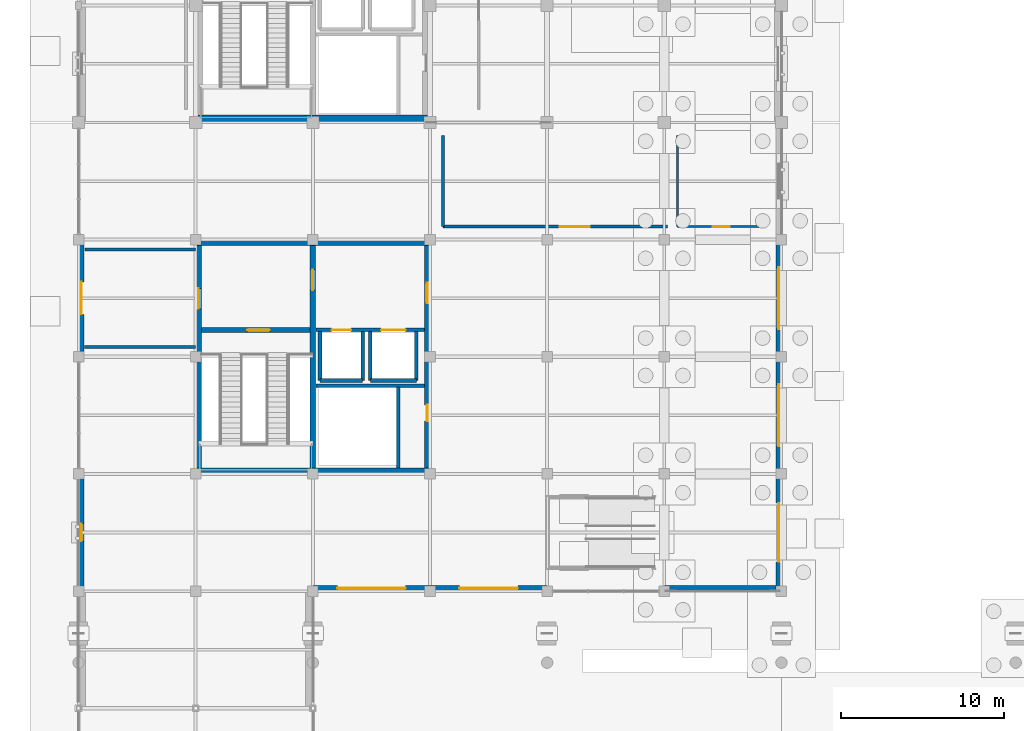
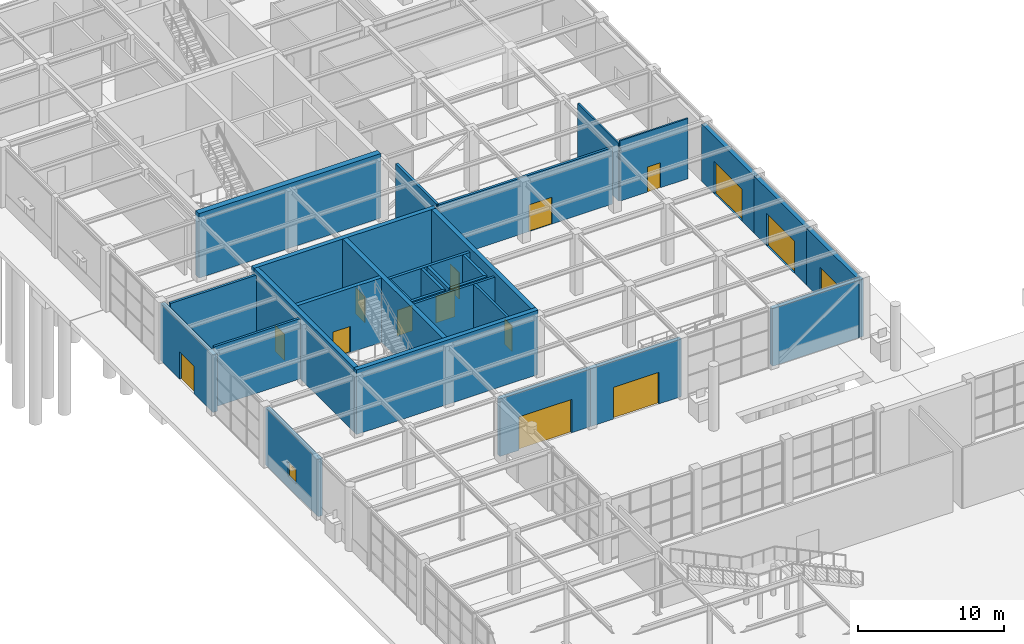
# One storey, part 59 of 75: 30 walls, 15 doors, 1 window, 16 openings.
"""IFC4 building model written with IfcOpenShell, lengths in metres."""

from ifc_helpers import new_model, si_unit, direction, frame, frame_2d, origin, place, context, subcontext, project, spatial, rectangle, extrude, material, layer, layer_set, type_object, element, fill, save


model = new_model("IFC4")

# Units and contexts
model_context = context("Model", 3, precision=1e-05, world=origin(), true_north=direction((0.0, 1.0)))
body_context = subcontext(model_context, "Body", "Model", "MODEL_VIEW")
ifc_project = project(units=[si_unit("LENGTHUNIT", "METRE"), si_unit("AREAUNIT", "SQUARE_METRE"), si_unit("VOLUMEUNIT", "CUBIC_METRE"), si_unit("PLANEANGLEUNIT", "RADIAN"), si_unit("MASSUNIT", "GRAM", prefix="KILO")], contexts=[model_context])

# Site, building, storey
site_placement = place(None, origin())
site = spatial("IfcSite", under=ifc_project, at=site_placement, CompositionType="ELEMENT")
building_placement = place(site_placement, origin())
building = spatial("IfcBuilding", under=site, at=building_placement, Name="Leyfeld Transit Interchange", CompositionType="ELEMENT")
storey_placement = place(building_placement, origin())
storey = spatial("IfcBuildingStorey", under=building, at=storey_placement, Name="L00", CompositionType="ELEMENT", Elevation=0.0)

# Wall, opening, window
ifc_material_1 = material(Name="Clinker brick masonry - Insulated", Category="masonry")
ifc_layer_1 = layer(ifc_material_1, 0.340087890625, Name="Clinker brick masonry - Insulated")
ifc_layer_set_1 = layer_set([ifc_layer_1], Name="Clinker brick masonry - Insulated")
wall_type_1 = type_object("IfcWallType", Name="WL-EXT-BRK-340", PredefinedType="SOLIDWALL", material=ifc_layer_set_1)
wall_1_placement = place(storey_placement, frame((0.169921875, 64.800048828125, 0.0), z_axis=(0.0, 0.0, 1.0), x_axis=(0.0, 1.0, 0.0)))
wall_1 = element("IfcWall", 1, at=wall_1_placement, inside=storey, type_object=wall_type_1, Name="External Facade Wall EW-L00-003", PredefinedType="SOLIDWALL", context=body_context, shape_type="SweptSolid", body=[
    extrude(rectangle(XDim=7.199951171875, YDim=0.340087890625, at=frame_2d((3.60009765625, 0.0))), origin(), (0.0, 0.0, 1.0), 4.7900390625),
])
opening_1_placement = place(wall_1_placement, frame((3.050048828125, 0.0, 0.89990234375)))
opening_1 = element("IfcOpeningElement", 2, at=opening_1_placement, cuts=wall_1, Name="Opening WU-01", PredefinedType="OPENING", context=body_context, shape_type="SweptSolid", body=[
    extrude(rectangle(XDim=1.10009765625, YDim=1.199951171875, at=frame_2d((0.550048828125, 0.60009765625))), frame((0.0, 0.179931640625, 0.0), z_axis=(0.0, -1.0, 0.0), x_axis=(1.0, 0.0, 0.0)), (0.0, 0.0, 1.0), 0.360107421875),
])
ifc_material_2 = material(Name="Triple low-E insulated glazing", Category="glass")
window_type = type_object("IfcWindowType", Name="WIN-UNQ-01", PartitioningType="SINGLE_PANEL", PredefinedType="WINDOW", material=ifc_material_2)
window_placement = place(opening_1_placement, origin())
window = element("IfcWindow", 3, at=window_placement, inside=storey, type_object=window_type, Name="Facade Window L00 001", OverallHeight=1.199951171875, OverallWidth=1.10009765625, PartitioningType="SINGLE_PANEL", PredefinedType="WINDOW", context=body_context, shape_type="SweptSolid", body=[
    extrude(rectangle(XDim=1.10009765625, YDim=1.199951171875, at=frame_2d((0.550048828125, 0.60009765625))), frame((0.0, 0.030029296875, 0.0), z_axis=(0.0, -1.0, 0.0), x_axis=(1.0, 0.0, 0.0)), (0.0, 0.0, 1.0), 0.06005859375),
])
fill(opening_1, window)

# Wall, opening, door
wall_2_placement = place(storey_placement, frame((0.169921875, 79.199951171875, 0.0), z_axis=(0.0, 0.0, 1.0), x_axis=(0.0, 1.0, 0.0)))
wall_2 = element("IfcWall", 4, at=wall_2_placement, inside=storey, type_object=wall_type_1, Name="External Facade Wall EW-L00-004", PredefinedType="SOLIDWALL", context=body_context, shape_type="SweptSolid", body=[
    extrude(rectangle(XDim=7.199951171875, YDim=0.340087890625, at=frame_2d((3.60009765625, 0.0))), origin(), (0.0, 0.0, 1.0), 4.7900390625),
])
opening_2_placement = place(wall_2_placement, frame((2.60009765625, 0.0, 0.0)))
opening_2 = element("IfcOpeningElement", 5, at=opening_2_placement, cuts=wall_2, Name="Opening DE-03", PredefinedType="OPENING", context=body_context, shape_type="SweptSolid", body=[
    extrude(rectangle(XDim=2.0, YDim=2.300048828125, at=frame_2d((1.0, 1.14990234375))), frame((0.0, 0.179931640625, 0.0), z_axis=(0.0, -1.0, 0.0), x_axis=(1.0, 0.0, 0.0)), (0.0, 0.0, 1.0), 0.360107421875),
])
ifc_material_3 = material(Name="Anodised aluminium EN AW-6060 T66", Category="aluminium")
door_type_1 = type_object("IfcDoorType", Name="DR-EXT-DBL-2000x2300", OperationType="NOTDEFINED", PredefinedType="DOOR", material=ifc_material_3)
door_1_placement = place(opening_2_placement, origin())
door_1 = element("IfcDoor", 6, at=door_1_placement, inside=storey, type_object=door_type_1, Name="DR-EXT-CORE-K3", OperationType="DOUBLE_DOOR_SINGLE_SWING", OverallHeight=2.300048828125, OverallWidth=2.0, PredefinedType="DOOR", context=body_context, shape_type="SweptSolid", body=[
    extrude(rectangle(XDim=2.0, YDim=2.300048828125, at=frame_2d((1.0, 1.14990234375))), frame((0.0, 0.02490234375, 0.0), z_axis=(0.0, -1.0, 0.0), x_axis=(1.0, 0.0, 0.0)), (0.0, 0.0, 1.0), 0.050048828125),
])
fill(opening_2, door_1)

wall_3_placement = place(storey_placement, frame((43.030029296875, 86.39990234375, 0.0), z_axis=(0.0, 0.0, 1.0), x_axis=(0.0, -1.0, 0.0)))
wall_3 = element("IfcWall", 7, at=wall_3_placement, inside=storey, type_object=wall_type_1, Name="External Facade Wall EW-L00-019", PredefinedType="SOLIDWALL", context=body_context, shape_type="SweptSolid", body=[
    extrude(rectangle(XDim=7.199951171875, YDim=0.340087890625, at=frame_2d((3.60009765625, 0.0))), origin(), (0.0, 0.0, 1.0), 4.7900390625),
])
opening_3_placement = place(wall_3_placement, frame((1.699951171875, 0.0, 0.0)))
opening_3 = element("IfcOpeningElement", 8, at=opening_3_placement, cuts=wall_3, Name="Opening GT-01", PredefinedType="OPENING", context=body_context, shape_type="SweptSolid", body=[
    extrude(rectangle(XDim=3.800048828125, YDim=2.699951171875, at=frame_2d((1.89990234375, 1.35009765625))), frame((0.0, 0.179931640625, 0.0), z_axis=(0.0, -1.0, 0.0), x_axis=(1.0, 0.0, 0.0)), (0.0, 0.0, 1.0), 0.360107421875),
])
ifc_material_4 = material(Name="Galvanised steel S275JR", Category="steel")
door_type_2 = type_object("IfcDoorType", Name="GT-CYC-3800x2700", OperationType="NOTDEFINED", PredefinedType="GATE", material=ifc_material_4)
door_2_placement = place(opening_3_placement, origin())
door_2 = element("IfcDoor", 9, at=door_2_placement, inside=storey, type_object=door_type_2, Name="GT-L00-03", OperationType="ROLLINGUP", OverallHeight=2.699951171875, OverallWidth=3.800048828125, PredefinedType="GATE", context=body_context, shape_type="SweptSolid", body=[
    extrude(rectangle(XDim=3.800048828125, YDim=2.699951171875, at=frame_2d((1.89990234375, 1.35009765625))), frame((0.0, 0.02490234375, 0.0), z_axis=(0.0, -1.0, 0.0), x_axis=(1.0, 0.0, 0.0)), (0.0, 0.0, 1.0), 0.050048828125),
])
fill(opening_3, door_2)

wall_4_placement = place(storey_placement, frame((43.030029296875, 79.199951171875, 0.0), z_axis=(0.0, 0.0, 1.0), x_axis=(0.0, -1.0, 0.0)))
wall_4 = element("IfcWall", 10, at=wall_4_placement, inside=storey, type_object=wall_type_1, Name="External Facade Wall EW-L00-020", PredefinedType="SOLIDWALL", context=body_context, shape_type="SweptSolid", body=[
    extrude(rectangle(XDim=7.199951171875, YDim=0.340087890625, at=frame_2d((3.60009765625, 0.0))), origin(), (0.0, 0.0, 1.0), 4.7900390625),
])
opening_4_placement = place(wall_4_placement, frame((1.699951171875, 0.0, 0.0)))
opening_4 = element("IfcOpeningElement", 11, at=opening_4_placement, cuts=wall_4, Name="Opening GT-01", PredefinedType="OPENING", context=body_context, shape_type="SweptSolid", body=[
    extrude(rectangle(XDim=3.800048828125, YDim=2.699951171875, at=frame_2d((1.89990234375, 1.35009765625))), frame((0.0, 0.179931640625, 0.0), z_axis=(0.0, -1.0, 0.0), x_axis=(1.0, 0.0, 0.0)), (0.0, 0.0, 1.0), 0.360107421875),
])
door_3_placement = place(opening_4_placement, origin())
door_3 = element("IfcDoor", 12, at=door_3_placement, inside=storey, type_object=door_type_2, Name="GT-L00-04", OperationType="ROLLINGUP", OverallHeight=2.699951171875, OverallWidth=3.800048828125, PredefinedType="GATE", context=body_context, shape_type="SweptSolid", body=[
    extrude(rectangle(XDim=3.800048828125, YDim=2.699951171875, at=frame_2d((1.89990234375, 1.35009765625))), frame((0.0, 0.02490234375, 0.0), z_axis=(0.0, -1.0, 0.0), x_axis=(1.0, 0.0, 0.0)), (0.0, 0.0, 1.0), 0.050048828125),
])
fill(opening_4, door_3)

wall_5_placement = place(storey_placement, frame((43.030029296875, 72.0, 0.0), z_axis=(0.0, 0.0, 1.0), x_axis=(0.0, -1.0, 0.0)))
wall_5 = element("IfcWall", 13, at=wall_5_placement, inside=storey, type_object=wall_type_1, Name="External Facade Wall EW-L00-021", PredefinedType="SOLIDWALL", context=body_context, shape_type="SweptSolid", body=[
    extrude(rectangle(XDim=7.199951171875, YDim=0.340087890625, at=frame_2d((3.60009765625, 0.0))), origin(), (0.0, 0.0, 1.0), 4.7900390625),
])
opening_5_placement = place(wall_5_placement, frame((1.800048828125, 0.0, 0.0)))
opening_5 = element("IfcOpeningElement", 14, at=opening_5_placement, cuts=wall_5, Name="Opening GT-02", PredefinedType="OPENING", context=body_context, shape_type="SweptSolid", body=[
    extrude(rectangle(XDim=3.60009765625, YDim=2.64990234375, at=frame_2d((1.800048828125, 1.324951171875))), frame((0.0, 0.179931640625, 0.0), z_axis=(0.0, -1.0, 0.0), x_axis=(1.0, 0.0, 0.0)), (0.0, 0.0, 1.0), 0.360107421875),
])
door_type_3 = type_object("IfcDoorType", Name="GT-SRV-3600x2650", OperationType="NOTDEFINED", PredefinedType="GATE", material=ifc_material_4)
door_4_placement = place(opening_5_placement, origin())
door_4 = element("IfcDoor", 15, at=door_4_placement, inside=storey, type_object=door_type_3, Name="GT-L00-05", OperationType="ROLLINGUP", OverallHeight=2.64990234375, OverallWidth=3.60009765625, PredefinedType="GATE", context=body_context, shape_type="SweptSolid", body=[
    extrude(rectangle(XDim=3.60009765625, YDim=2.64990234375, at=frame_2d((1.800048828125, 1.324951171875))), frame((0.0, 0.02490234375, 0.0), z_axis=(0.0, -1.0, 0.0), x_axis=(1.0, 0.0, 0.0)), (0.0, 0.0, 1.0), 0.050048828125),
])
fill(opening_5, door_4)

# Wall
wall_6_placement = place(storey_placement, frame((43.199951171875, 64.969970703125, 0.0), z_axis=(0.0, 0.0, 1.0), x_axis=(-1.0, 0.0, 0.0)))
element("IfcWall", 16, at=wall_6_placement, inside=storey, type_object=wall_type_1, Name="External Facade Wall EW-L00-022", PredefinedType="SOLIDWALL", context=body_context, shape_type="SweptSolid", body=[
    extrude(rectangle(XDim=7.199951171875, YDim=0.340087890625, at=frame_2d((3.60009765625, 0.0))), origin(), (0.0, 0.0, 1.0), 4.820068359375),
])

# Wall, opening, door
wall_7_placement = place(storey_placement, frame((28.800048828125, 64.969970703125, 0.0), z_axis=(0.0, 0.0, 1.0), x_axis=(-1.0, 0.0, 0.0)))
wall_7 = element("IfcWall", 17, at=wall_7_placement, inside=storey, type_object=wall_type_1, Name="External Facade Wall EW-L00-023", PredefinedType="SOLIDWALL", context=body_context, shape_type="SweptSolid", body=[
    extrude(rectangle(XDim=7.199951171875, YDim=0.340087890625, at=frame_2d((3.60009765625, 0.0))), origin(), (0.0, 0.0, 1.0), 4.820068359375),
])
opening_6_placement = place(wall_7_placement, frame((1.800048828125, 0.0, 0.0)))
opening_6 = element("IfcOpeningElement", 18, at=opening_6_placement, cuts=wall_7, Name="Opening GT-02", PredefinedType="OPENING", context=body_context, shape_type="SweptSolid", body=[
    extrude(rectangle(XDim=3.60009765625, YDim=2.64990234375, at=frame_2d((1.800048828125, 1.324951171875))), frame((0.0, 0.179931640625, 0.0), z_axis=(0.0, -1.0, 0.0), x_axis=(1.0, 0.0, 0.0)), (0.0, 0.0, 1.0), 0.360107421875),
])
door_5_placement = place(opening_6_placement, origin())
door_5 = element("IfcDoor", 19, at=door_5_placement, inside=storey, type_object=door_type_3, Name="GT-L00-06", OperationType="ROLLINGUP", OverallHeight=2.64990234375, OverallWidth=3.60009765625, PredefinedType="GATE", context=body_context, shape_type="SweptSolid", body=[
    extrude(rectangle(XDim=3.60009765625, YDim=2.64990234375, at=frame_2d((1.800048828125, 1.324951171875))), frame((0.0, 0.02490234375, 0.0), z_axis=(0.0, -1.0, 0.0), x_axis=(1.0, 0.0, 0.0)), (0.0, 0.0, 1.0), 0.050048828125),
])
fill(opening_6, door_5)

wall_8_placement = place(storey_placement, frame((21.60009765625, 64.969970703125, 0.0), z_axis=(0.0, 0.0, 1.0), x_axis=(-1.0, 0.0, 0.0)))
wall_8 = element("IfcWall", 20, at=wall_8_placement, inside=storey, type_object=wall_type_1, Name="External Facade Wall EW-L00-024", PredefinedType="SOLIDWALL", context=body_context, shape_type="SweptSolid", body=[
    extrude(rectangle(XDim=7.2001953125, YDim=0.340087890625, at=frame_2d((3.60009765625, 0.0))), origin(), (0.0, 0.0, 1.0), 4.820068359375),
])
opening_7_placement = place(wall_8_placement, frame((1.5, 0.0, 0.0)))
opening_7 = element("IfcOpeningElement", 21, at=opening_7_placement, cuts=wall_8, Name="Opening GT-03", PredefinedType="OPENING", context=body_context, shape_type="SweptSolid", body=[
    extrude(rectangle(XDim=4.199951171875, YDim=2.800048828125, at=frame_2d((2.10009765625, 1.39990234375))), frame((0.0, 0.179931640625, 0.0), z_axis=(0.0, -1.0, 0.0), x_axis=(1.0, 0.0, 0.0)), (0.0, 0.0, 1.0), 0.360107421875),
])
door_type_4 = type_object("IfcDoorType", Name="GT-BUS-4200x2800", OperationType="NOTDEFINED", PredefinedType="GATE", material=ifc_material_4)
door_6_placement = place(opening_7_placement, origin())
door_6 = element("IfcDoor", 22, at=door_6_placement, inside=storey, type_object=door_type_4, Name="GT-L00-07", OperationType="ROLLINGUP", OverallHeight=2.800048828125, OverallWidth=4.199951171875, PredefinedType="GATE", context=body_context, shape_type="SweptSolid", body=[
    extrude(rectangle(XDim=4.199951171875, YDim=2.800048828125, at=frame_2d((2.10009765625, 1.39990234375))), frame((0.0, 0.02490234375, 0.0), z_axis=(0.0, -1.0, 0.0), x_axis=(1.0, 0.0, 0.0)), (0.0, 0.0, 1.0), 0.050048828125),
])
fill(opening_7, door_6)

# Walls
ifc_material_5 = material(Name="Calcium silicate masonry", Category="masonry")
ifc_layer_2 = layer(ifc_material_5, 0.18994140625, Name="Calcium silicate masonry")
ifc_layer_set_2 = layer_set([ifc_layer_2], Name="Calcium silicate masonry")
wall_type_2 = type_object("IfcWallType", Name="WL-INT-PLT-190", PredefinedType="PARTITIONING", material=ifc_layer_set_2)
wall_9_placement = place(storey_placement, frame((14.580078125, 77.419921875, 0.0), z_axis=(0.0, 0.0, 1.0), x_axis=(1.0, 0.0, 0.0)))
element("IfcWall", 23, at=wall_9_placement, inside=storey, type_object=wall_type_2, Name="Core K3 Riser Compartment Wall L00", PredefinedType="PARTITIONING", context=body_context, shape_type="SweptSolid", body=[
    extrude(rectangle(XDim=6.669921875, YDim=0.18994140625, at=frame_2d((3.3349609375, 0.0))), origin(), (0.0, 0.0, 1.0), 5.050048828125),
])
wall_10_placement = place(storey_placement, frame((19.64990234375, 72.35009765625, 0.0), z_axis=(0.0, 0.0, 1.0), x_axis=(0.0, 1.0, 0.0)))
element("IfcWall", 24, at=wall_10_placement, inside=storey, type_object=wall_type_2, Name="Core K3 Riser Shaft East Wall L00", PredefinedType="PARTITIONING", context=body_context, shape_type="SweptSolid", body=[
    extrude(rectangle(XDim=4.97998046875, YDim=0.18994140625, at=frame_2d((2.489990234375, 0.0))), origin(), (0.0, 0.0, 1.0), 5.050048828125),
])

# Wall, opening, door
wall_11_placement = place(storey_placement, frame((36.199951171875, 87.199951171875, 0.0), z_axis=(0.0, 0.0, 1.0), x_axis=(-1.0, 0.0, 0.0)))
wall_11 = element("IfcWall", 25, at=wall_11_placement, inside=storey, type_object=wall_type_2, Name="Interior Partition L00-CYC-02 S", PredefinedType="PARTITIONING", context=body_context, shape_type="SweptSolid", body=[
    extrude(rectangle(XDim=13.800048828125, YDim=0.18994140625, at=frame_2d((6.89990234375, 0.0))), origin(), (0.0, 0.0, 1.0), 4.719970703125),
])
opening_8_placement = place(wall_11_placement, frame((4.780029296875, 0.0, 0.0)))
opening_8 = element("IfcOpeningElement", 26, at=opening_8_placement, cuts=wall_11, Name="Opening DU-20", PredefinedType="OPENING", context=body_context, shape_type="SweptSolid", body=[
    extrude(rectangle(XDim=1.840087890625, YDim=2.239990234375, at=frame_2d((0.919921875, 1.1201171875))), frame((0.0, 0.10498046875, 0.0), z_axis=(0.0, -1.0, 0.0), x_axis=(1.0, 0.0, 0.0)), (0.0, 0.0, 1.0), 0.2099609375),
])
ifc_material_6 = material(Name="Austrian larch glulam GL28h", Category="wood")
door_type_5 = type_object("IfcDoorType", Name="DR-UNQ-20", OperationType="NOTDEFINED", PredefinedType="DOOR", material=ifc_material_6)
door_7_placement = place(opening_8_placement, origin())
door_7 = element("IfcDoor", 27, at=door_7_placement, inside=storey, type_object=door_type_5, Name="DR-L00-CYC-02", OperationType="DOUBLE_DOOR_SINGLE_SWING", OverallHeight=2.239990234375, OverallWidth=1.840087890625, PredefinedType="DOOR", context=body_context, shape_type="SweptSolid", body=[
    extrude(rectangle(XDim=1.840087890625, YDim=2.239990234375, at=frame_2d((0.919921875, 1.1201171875))), frame((0.0, 0.02490234375, 0.0), z_axis=(0.0, -1.0, 0.0), x_axis=(1.0, 0.0, 0.0)), (0.0, 0.0, 1.0), 0.050048828125),
])
fill(opening_8, door_7)

# Walls
wall_12_placement = place(storey_placement, frame((22.39990234375, 87.199951171875, 0.0), z_axis=(0.0, 0.0, 1.0), x_axis=(0.0, 1.0, 0.0)))
element("IfcWall", 28, at=wall_12_placement, inside=storey, type_object=wall_type_2, Name="Interior Partition L00-CYC-02 W", PredefinedType="PARTITIONING", context=body_context, shape_type="SweptSolid", body=[
    extrude(rectangle(XDim=5.60009765625, YDim=0.18994140625, at=frame_2d((2.800048828125, 0.0))), origin(), (0.0, 0.0, 1.0), 4.7900390625),
])
for number, where, z_axis, x_axis, name in (
    (29, (0.3798828125, 85.800048828125, 0.0), (0.0, 0.0, 1.0), (1.0, 0.0, 0.0), "Interior Partition L00-ESC-K3 N"),
    (30, (7.199951171875, 79.800048828125, 0.0), (0.0, 0.0, 1.0), (-1.0, 0.0, 0.0), "Interior Partition L00-ESC-K3 S"),
):
    element("IfcWall", number, at=place(storey_placement, frame(where, z_axis=z_axis, x_axis=x_axis)), inside=storey, type_object=wall_type_2, Name=name, PredefinedType="PARTITIONING", context=body_context, shape_type="SweptSolid", body=[
        extrude(rectangle(XDim=6.820068359375, YDim=0.18994140625, at=frame_2d((3.41015625, 0.0))), origin(), (0.0, 0.0, 1.0), 5.050048828125),
    ])

# Wall, openings, doors
ifc_material_7 = material(Name="Concrete C35/45", Category="concrete")
ifc_layer_3 = layer(ifc_material_7, 0.219970703125, Name="Concrete C35/45")
ifc_layer_set_3 = layer_set([ifc_layer_3], Name="Concrete C35/45")
wall_type_3 = type_object("IfcWallType", Name="WL-INT-SHF-220", PredefinedType="PARTITIONING", material=ifc_layer_set_3)
wall_13_placement = place(storey_placement, frame((14.580078125, 80.85009765625, 0.0), z_axis=(0.0, 0.0, 1.0), x_axis=(1.0, 0.0, 0.0)))
wall_13 = element("IfcWall", 31, at=wall_13_placement, inside=storey, type_object=wall_type_3, Name="Core K3 Lift Shaft Front Wall L00", PredefinedType="PARTITIONING", context=body_context, shape_type="SweptSolid", body=[
    extrude(rectangle(XDim=6.669921875, YDim=0.219970703125, at=frame_2d((3.3349609375, 0.0))), origin(), (0.0, 0.0, 1.0), 5.050048828125),
])
opening_9_placement = place(wall_13_placement, frame((0.969970703125, 0.0, 0.0)))
opening_9 = element("IfcOpeningElement", 32, at=opening_9_placement, cuts=wall_13, Name="Opening LD-02", PredefinedType="OPENING", context=body_context, shape_type="SweptSolid", body=[
    extrude(rectangle(XDim=1.199951171875, YDim=2.14990234375, at=frame_2d((0.60009765625, 1.074951171875))), frame((0.0, 0.119873046875, 0.0), z_axis=(0.0, -1.0, 0.0), x_axis=(1.0, 0.0, 0.0)), (0.0, 0.0, 1.0), 0.239990234375),
])
opening_10_placement = place(wall_13_placement, frame((4.02001953125, 0.0, 0.0)))
opening_10 = element("IfcOpeningElement", 33, at=opening_10_placement, cuts=wall_13, Name="Opening LD-03", PredefinedType="OPENING", context=body_context, shape_type="SweptSolid", body=[
    extrude(rectangle(XDim=1.5, YDim=2.25, at=frame_2d((0.75, 1.125))), frame((0.0, 0.119873046875, 0.0), z_axis=(0.0, -1.0, 0.0), x_axis=(1.0, 0.0, 0.0)), (0.0, 0.0, 1.0), 0.239990234375),
])
ifc_material_8 = material(Name="Stainless steel EN 1.4404", Category="steel")
door_type_6 = type_object("IfcDoorType", Name="DR-LD-GDS-1500x2250", OperationType="NOTDEFINED", PredefinedType="DOOR", material=ifc_material_8)
door_8_placement = place(opening_10_placement, origin())
door_8 = element("IfcDoor", 34, at=door_8_placement, inside=storey, type_object=door_type_6, Name="LD-GL-1-L00", OperationType="DOUBLE_DOOR_SLIDING", OverallHeight=2.25, OverallWidth=1.5, PredefinedType="DOOR", context=body_context, shape_type="SweptSolid", body=[
    extrude(rectangle(XDim=1.5, YDim=2.25, at=frame_2d((0.75, 1.125))), frame((0.0, 0.02490234375, 0.0), z_axis=(0.0, -1.0, 0.0), x_axis=(1.0, 0.0, 0.0)), (0.0, 0.0, 1.0), 0.050048828125),
])
fill(opening_10, door_8)
door_type_7 = type_object("IfcDoorType", Name="DR-LD-PAS-1200x2150", OperationType="NOTDEFINED", PredefinedType="DOOR", material=ifc_material_8)
door_9_placement = place(opening_9_placement, origin())
door_9 = element("IfcDoor", 35, at=door_9_placement, inside=storey, type_object=door_type_7, Name="LD-PL-3-L00", OperationType="DOUBLE_DOOR_SLIDING", OverallHeight=2.14990234375, OverallWidth=1.199951171875, PredefinedType="DOOR", context=body_context, shape_type="SweptSolid", body=[
    extrude(rectangle(XDim=1.199951171875, YDim=2.14990234375, at=frame_2d((0.60009765625, 1.074951171875))), frame((0.0, 0.02490234375, 0.0), z_axis=(0.0, -1.0, 0.0), x_axis=(1.0, 0.0, 0.0)), (0.0, 0.0, 1.0), 0.050048828125),
])
fill(opening_9, door_9)

# Walls
wall_14_placement = place(storey_placement, frame((14.840087890625, 77.739990234375, 0.0), z_axis=(0.0, 0.0, 1.0), x_axis=(1.0, 0.0, 0.0)))
element("IfcWall", 36, at=wall_14_placement, inside=storey, type_object=wall_type_3, Name="Core K3 Lift PL-3 Shaft Back Wall L00", PredefinedType="PARTITIONING", context=body_context, shape_type="SweptSolid", body=[
    extrude(rectangle(XDim=2.619873046875, YDim=0.219970703125, at=frame_2d((1.31005859375, 0.0))), origin(), (0.0, 0.0, 1.0), 5.050048828125),
])
for number, where, z_axis, x_axis, name in (
    (37, (14.840087890625, 77.739990234375, 0.0), (0.0, 0.0, 1.0), (0.0, 1.0, 0.0), "Core K3 Lift PL-3 Shaft Wall W L00"),
    (38, (17.4599609375, 77.739990234375, 0.0), (0.0, 0.0, 1.0), (0.0, 1.0, 0.0), "Core K3 Lift PL-3 Shaft Wall E L00"),
):
    element("IfcWall", number, at=place(storey_placement, frame(where, z_axis=z_axis, x_axis=x_axis)), inside=storey, type_object=wall_type_3, Name=name, PredefinedType="PARTITIONING", context=body_context, shape_type="SweptSolid", body=[
        extrude(rectangle(XDim=3.0, YDim=0.219970703125, at=frame_2d((1.5, 0.0))), origin(), (0.0, 0.0, 1.0), 5.050048828125),
    ])
wall_15_placement = place(storey_placement, frame((17.93994140625, 77.739990234375, 0.0), z_axis=(0.0, 0.0, 1.0), x_axis=(1.0, 0.0, 0.0)))
element("IfcWall", 39, at=wall_15_placement, inside=storey, type_object=wall_type_3, Name="Core K3 Lift GL-1 Shaft Back Wall L00", PredefinedType="PARTITIONING", context=body_context, shape_type="SweptSolid", body=[
    extrude(rectangle(XDim=2.820068359375, YDim=0.219970703125, at=frame_2d((1.41015625, 0.0))), origin(), (0.0, 0.0, 1.0), 5.050048828125),
])
for number, where, z_axis, x_axis, name in (
    (40, (17.93994140625, 77.739990234375, 0.0), (0.0, 0.0, 1.0), (0.0, 1.0, 0.0), "Core K3 Lift GL-1 Shaft Wall W L00"),
    (41, (20.760009765625, 77.739990234375, 0.0), (0.0, 0.0, 1.0), (0.0, 1.0, 0.0), "Core K3 Lift GL-1 Shaft Wall E L00"),
):
    element("IfcWall", number, at=place(storey_placement, frame(where, z_axis=z_axis, x_axis=x_axis)), inside=storey, type_object=wall_type_3, Name=name, PredefinedType="PARTITIONING", context=body_context, shape_type="SweptSolid", body=[
        extrude(rectangle(XDim=3.0, YDim=0.219970703125, at=frame_2d((1.5, 0.0))), origin(), (0.0, 0.0, 1.0), 5.050048828125),
    ])

# Wall, opening, door
ifc_material_9 = material(Name="Autoclaved aerated blockwork G4", Category="masonry")
ifc_layer_4 = layer(ifc_material_9, 0.125, Name="Autoclaved aerated blockwork G4")
ifc_layer_set_4 = layer_set([ifc_layer_4], Name="Autoclaved aerated blockwork G4")
wall_type_4 = type_object("IfcWallType", Name="WL-INT-WC-125", PredefinedType="PARTITIONING", material=ifc_layer_set_4)
wall_16_placement = place(storey_placement, frame((42.199951171875, 87.199951171875, 0.0), z_axis=(0.0, 0.0, 1.0), x_axis=(-1.0, 0.0, 0.0)))
wall_16 = element("IfcWall", 42, at=wall_16_placement, inside=storey, type_object=wall_type_4, Name="Interior Partition L00-WCA-02 S", PredefinedType="PARTITIONING", context=body_context, shape_type="SweptSolid", body=[
    extrude(rectangle(XDim=5.39990234375, YDim=0.125, at=frame_2d((2.699951171875, 0.0))), origin(), (0.0, 0.0, 1.0), 5.050048828125),
])
opening_11_placement = place(wall_16_placement, frame((2.175048828125, 0.0, 0.0)))
opening_11 = element("IfcOpeningElement", 43, at=opening_11_placement, cuts=wall_16, Name="Opening DI-09", PredefinedType="OPENING", context=body_context, shape_type="SweptSolid", body=[
    extrude(rectangle(XDim=1.050048828125, YDim=2.10009765625, at=frame_2d((0.52490234375, 1.050048828125))), frame((0.0, 0.072509765625, 0.0), z_axis=(0.0, -1.0, 0.0), x_axis=(1.0, 0.0, 0.0)), (0.0, 0.0, 1.0), 0.14501953125),
])
door_type_8 = type_object("IfcDoorType", Name="DR-WCA-1050x2100", OperationType="NOTDEFINED", PredefinedType="DOOR", material=ifc_material_6)
door_10_placement = place(opening_11_placement, origin())
door_10 = element("IfcDoor", 44, at=door_10_placement, inside=storey, type_object=door_type_8, Name="DR-L00-WCA-02", OperationType="SINGLE_SWING_RIGHT", OverallHeight=2.10009765625, OverallWidth=1.050048828125, PredefinedType="DOOR", context=body_context, shape_type="SweptSolid", body=[
    extrude(rectangle(XDim=1.050048828125, YDim=2.10009765625, at=frame_2d((0.52490234375, 1.050048828125))), frame((0.0, 0.02490234375, 0.0), z_axis=(0.0, -1.0, 0.0), x_axis=(1.0, 0.0, 0.0)), (0.0, 0.0, 1.0), 0.050048828125),
])
fill(opening_11, door_10)

# Wall
wall_17_placement = place(storey_placement, frame((36.800048828125, 87.199951171875, 0.0), z_axis=(0.0, 0.0, 1.0), x_axis=(0.0, 1.0, 0.0)))
element("IfcWall", 45, at=wall_17_placement, inside=storey, type_object=wall_type_4, Name="Interior Partition L00-WCA-02 W", PredefinedType="PARTITIONING", context=body_context, shape_type="SweptSolid", body=[
    extrude(rectangle(XDim=5.60009765625, YDim=0.125, at=frame_2d((2.800048828125, 0.0))), origin(), (0.0, 0.0, 1.0), 4.7900390625),
])

# Wall, opening, door
ifc_layer_5 = layer(ifc_material_7, 0.300048828125, Name="Concrete C35/45")
ifc_layer_set_5 = layer_set([ifc_layer_5], Name="Concrete C35/45")
wall_type_5 = type_object("IfcWallType", Name="WL-SH-300", PredefinedType="SHEAR", material=ifc_layer_set_5)
wall_18_placement = place(storey_placement, frame((7.550048828125, 80.85009765625, 0.0), z_axis=(0.0, 0.0, 1.0), x_axis=(1.0, 0.0, 0.0)))
wall_18 = element("IfcWall", 46, at=wall_18_placement, inside=storey, type_object=wall_type_5, Name="Core K3 Shear Wall STRN L00", PredefinedType="SHEAR", context=body_context, shape_type="SweptSolid", body=[
    extrude(rectangle(XDim=6.675048828125, YDim=0.300048828125, at=frame_2d((3.33740234375, 0.0))), origin(), (0.0, 0.0, 1.0), 5.39990234375),
])
opening_12_placement = place(wall_18_placement, frame((2.8125, 0.0, 0.0)))
opening_12 = element("IfcOpeningElement", 47, at=opening_12_placement, cuts=wall_18, Name="Opening DI-01", PredefinedType="OPENING", context=body_context, shape_type="SweptSolid", body=[
    extrude(rectangle(XDim=1.39990234375, YDim=2.199951171875, at=frame_2d((0.699951171875, 1.10009765625))), frame((0.0, 0.159912109375, 0.0), z_axis=(0.0, -1.0, 0.0), x_axis=(1.0, 0.0, 0.0)), (0.0, 0.0, 1.0), 0.320068359375),
])
door_type_9 = type_object("IfcDoorType", Name="DR-STR-1400x2200", OperationType="NOTDEFINED", PredefinedType="DOOR", material=ifc_material_4)
door_11_placement = place(opening_12_placement, origin())
door_11 = element("IfcDoor", 48, at=door_11_placement, inside=storey, type_object=door_type_9, Name="DR-STR-INT-K3-L00", OperationType="SINGLE_SWING_RIGHT", OverallHeight=2.199951171875, OverallWidth=1.39990234375, PredefinedType="DOOR", context=body_context, shape_type="SweptSolid", body=[
    extrude(rectangle(XDim=1.39990234375, YDim=2.199951171875, at=frame_2d((0.699951171875, 1.10009765625))), frame((0.0, 0.02490234375, 0.0), z_axis=(0.0, -1.0, 0.0), x_axis=(1.0, 0.0, 0.0)), (0.0, 0.0, 1.0), 0.050048828125),
])
fill(opening_12, door_11)

# Wall
ifc_layer_6 = layer(ifc_material_7, 0.35009765625, Name="Concrete C35/45")
ifc_layer_set_6 = layer_set([ifc_layer_6], Name="Concrete C35/45")
wall_type_6 = type_object("IfcWallType", Name="WL-SH-350", PredefinedType="SHEAR", material=ifc_layer_set_6)
wall_19_placement = place(storey_placement, frame((7.199951171875, 86.22509765625, 0.0), z_axis=(0.0, 0.0, 1.0), x_axis=(1.0, 0.0, 0.0)))
element("IfcWall", 49, at=wall_19_placement, inside=storey, type_object=wall_type_6, Name="Core K3 Shear Wall N L00", PredefinedType="SHEAR", context=body_context, shape_type="SweptSolid", body=[
    extrude(rectangle(XDim=14.400146484375, YDim=0.35009765625, at=frame_2d((7.2001953125, 0.0))), origin(), (0.0, 0.0, 1.0), 5.39990234375),
])

# Wall, openings, doors
wall_20_placement = place(storey_placement, frame((21.425048828125, 86.050048828125, 0.0), z_axis=(0.0, 0.0, 1.0), x_axis=(0.0, -1.0, 0.0)))
wall_20 = element("IfcWall", 50, at=wall_20_placement, inside=storey, type_object=wall_type_6, Name="Core K3 Shear Wall E L00", PredefinedType="SHEAR", context=body_context, shape_type="SweptSolid", body=[
    extrude(rectangle(XDim=13.699951171875, YDim=0.35009765625, at=frame_2d((6.85009765625, 0.0))), origin(), (0.0, 0.0, 1.0), 5.39990234375),
])
opening_13_placement = place(wall_20_placement, frame((9.800048828125, 0.0, 0.0)))
opening_13 = element("IfcOpeningElement", 51, at=opening_13_placement, cuts=wall_20, Name="Opening DI-05", PredefinedType="OPENING", context=body_context, shape_type="SweptSolid", body=[
    extrude(rectangle(XDim=1.0, YDim=2.14990234375, at=frame_2d((0.5, 1.074951171875))), frame((0.0, 0.18505859375, 0.0), z_axis=(0.0, -1.0, 0.0), x_axis=(1.0, 0.0, 0.0)), (0.0, 0.0, 1.0), 0.3701171875),
])
opening_14_placement = place(wall_20_placement, frame((2.300048828125, 0.0, 0.0)))
opening_14 = element("IfcOpeningElement", 52, at=opening_14_placement, cuts=wall_20, Name="Opening DI-02", PredefinedType="OPENING", context=body_context, shape_type="SweptSolid", body=[
    extrude(rectangle(XDim=1.25, YDim=2.199951171875, at=frame_2d((0.625, 1.10009765625))), frame((0.0, 0.18505859375, 0.0), z_axis=(0.0, -1.0, 0.0), x_axis=(1.0, 0.0, 0.0)), (0.0, 0.0, 1.0), 0.3701171875),
])
door_type_10 = type_object("IfcDoorType", Name="DR-FFL-1250x2200", OperationType="NOTDEFINED", PredefinedType="DOOR", material=ifc_material_4)
door_12_placement = place(opening_14_placement, origin())
door_12 = element("IfcDoor", 53, at=door_12_placement, inside=storey, type_object=door_type_10, Name="DR-CORE-OUT-K3-L00-E", OperationType="SINGLE_SWING_RIGHT", OverallHeight=2.199951171875, OverallWidth=1.25, PredefinedType="DOOR", context=body_context, shape_type="SweptSolid", body=[
    extrude(rectangle(XDim=1.25, YDim=2.199951171875, at=frame_2d((0.625, 1.10009765625))), frame((0.0, 0.02490234375, 0.0), z_axis=(0.0, -1.0, 0.0), x_axis=(1.0, 0.0, 0.0)), (0.0, 0.0, 1.0), 0.050048828125),
])
fill(opening_14, door_12)
door_type_11 = type_object("IfcDoorType", Name="DR-OFF-1000x2150", OperationType="NOTDEFINED", PredefinedType="DOOR", material=ifc_material_6)
door_13_placement = place(opening_13_placement, origin())
door_13 = element("IfcDoor", 54, at=door_13_placement, inside=storey, type_object=door_type_11, Name="DR-RSR-K3-L00", OperationType="SINGLE_SWING_RIGHT", OverallHeight=2.14990234375, OverallWidth=1.0, PredefinedType="DOOR", context=body_context, shape_type="SweptSolid", body=[
    extrude(rectangle(XDim=1.0, YDim=2.14990234375, at=frame_2d((0.5, 1.074951171875))), frame((0.0, 0.02490234375, 0.0), z_axis=(0.0, -1.0, 0.0), x_axis=(1.0, 0.0, 0.0)), (0.0, 0.0, 1.0), 0.050048828125),
])
fill(opening_13, door_13)

# Wall
wall_21_placement = place(storey_placement, frame((21.60009765625, 72.175048828125, 0.0), z_axis=(0.0, 0.0, 1.0), x_axis=(-1.0, 0.0, 0.0)))
element("IfcWall", 55, at=wall_21_placement, inside=storey, type_object=wall_type_6, Name="Core K3 Shear Wall S L00", PredefinedType="SHEAR", context=body_context, shape_type="SweptSolid", body=[
    extrude(rectangle(XDim=14.400146484375, YDim=0.35009765625, at=frame_2d((7.2001953125, 0.0))), origin(), (0.0, 0.0, 1.0), 5.39990234375),
])

# Wall, opening, door
wall_22_placement = place(storey_placement, frame((7.375, 72.35009765625, 0.0), z_axis=(0.0, 0.0, 1.0), x_axis=(0.0, 1.0, 0.0)))
wall_22 = element("IfcWall", 56, at=wall_22_placement, inside=storey, type_object=wall_type_6, Name="Core K3 Shear Wall W L00", PredefinedType="SHEAR", context=body_context, shape_type="SweptSolid", body=[
    extrude(rectangle(XDim=13.699951171875, YDim=0.35009765625, at=frame_2d((6.85009765625, 0.0))), origin(), (0.0, 0.0, 1.0), 5.39990234375),
])
opening_15_placement = place(wall_22_placement, frame((9.800048828125, 0.0, 0.0)))
opening_15 = element("IfcOpeningElement", 57, at=opening_15_placement, cuts=wall_22, Name="Opening DI-02", PredefinedType="OPENING", context=body_context, shape_type="SweptSolid", body=[
    extrude(rectangle(XDim=1.25, YDim=2.199951171875, at=frame_2d((0.625, 1.10009765625))), frame((0.0, 0.18505859375, 0.0), z_axis=(0.0, -1.0, 0.0), x_axis=(1.0, 0.0, 0.0)), (0.0, 0.0, 1.0), 0.3701171875),
])
door_14_placement = place(opening_15_placement, origin())
door_14 = element("IfcDoor", 58, at=door_14_placement, inside=storey, type_object=door_type_10, Name="DR-CORE-OUT-K3-L00-W", OperationType="SINGLE_SWING_LEFT", OverallHeight=2.199951171875, OverallWidth=1.25, PredefinedType="DOOR", context=body_context, shape_type="SweptSolid", body=[
    extrude(rectangle(XDim=1.25, YDim=2.199951171875, at=frame_2d((0.625, 1.10009765625))), frame((0.0, 0.02490234375, 0.0), z_axis=(0.0, -1.0, 0.0), x_axis=(1.0, 0.0, 0.0)), (0.0, 0.0, 1.0), 0.050048828125),
])
fill(opening_15, door_14)

wall_23_placement = place(storey_placement, frame((14.39990234375, 86.050048828125, 0.0), z_axis=(0.0, 0.0, 1.0), x_axis=(0.0, -1.0, 0.0)))
wall_23 = element("IfcWall", 59, at=wall_23_placement, inside=storey, type_object=wall_type_6, Name="Core K3 Shear Wall MID L00", PredefinedType="SHEAR", context=body_context, shape_type="SweptSolid", body=[
    extrude(rectangle(XDim=13.699951171875, YDim=0.35009765625, at=frame_2d((6.85009765625, 0.0))), origin(), (0.0, 0.0, 1.0), 5.39990234375),
])
opening_16_placement = place(wall_23_placement, frame((1.5, 0.0, 0.0)))
opening_16 = element("IfcOpeningElement", 60, at=opening_16_placement, cuts=wall_23, Name="Opening DI-02", PredefinedType="OPENING", context=body_context, shape_type="SweptSolid", body=[
    extrude(rectangle(XDim=1.25, YDim=2.199951171875, at=frame_2d((0.625, 1.10009765625))), frame((0.0, 0.18505859375, 0.0), z_axis=(0.0, -1.0, 0.0), x_axis=(1.0, 0.0, 0.0)), (0.0, 0.0, 1.0), 0.3701171875),
])
door_15_placement = place(opening_16_placement, origin())
door_15 = element("IfcDoor", 61, at=door_15_placement, inside=storey, type_object=door_type_10, Name="DR-CORE-MID-K3-L00", OperationType="SINGLE_SWING_LEFT", OverallHeight=2.199951171875, OverallWidth=1.25, PredefinedType="DOOR", context=body_context, shape_type="SweptSolid", body=[
    extrude(rectangle(XDim=1.25, YDim=2.199951171875, at=frame_2d((0.625, 1.10009765625))), frame((0.0, 0.02490234375, 0.0), z_axis=(0.0, -1.0, 0.0), x_axis=(1.0, 0.0, 0.0)), (0.0, 0.0, 1.0), 0.050048828125),
])
fill(opening_16, door_15)

# Wall
ifc_layer_7 = layer(ifc_material_7, 0.449951171875, Name="Concrete C35/45")
ifc_layer_set_7 = layer_set([ifc_layer_7], Name="Concrete C35/45")
wall_type_7 = type_object("IfcWallType", Name="WL-SH-450", PredefinedType="SHEAR", material=ifc_layer_set_7)
wall_24_placement = place(storey_placement, frame((21.60009765625, 93.824951171875, 0.0), z_axis=(0.0, 0.0, 1.0), x_axis=(-1.0, 0.0, 0.0)))
element("IfcWall", 62, at=wall_24_placement, inside=storey, type_object=wall_type_7, Name="Core K1 Shear Wall S L00", PredefinedType="SHEAR", context=body_context, shape_type="SweptSolid", body=[
    extrude(rectangle(XDim=14.400146484375, YDim=0.449951171875, at=frame_2d((7.2001953125, 0.0))), origin(), (0.0, 0.0, 1.0), 5.39990234375),
])

save(model, "model.ifc")
